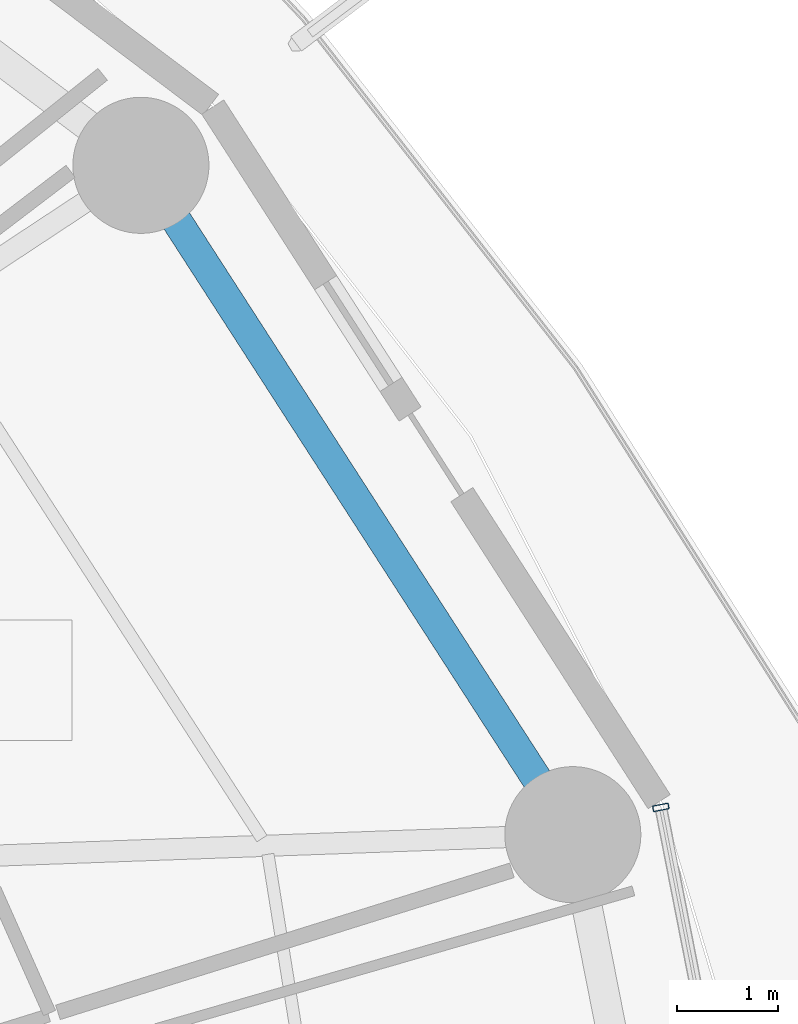
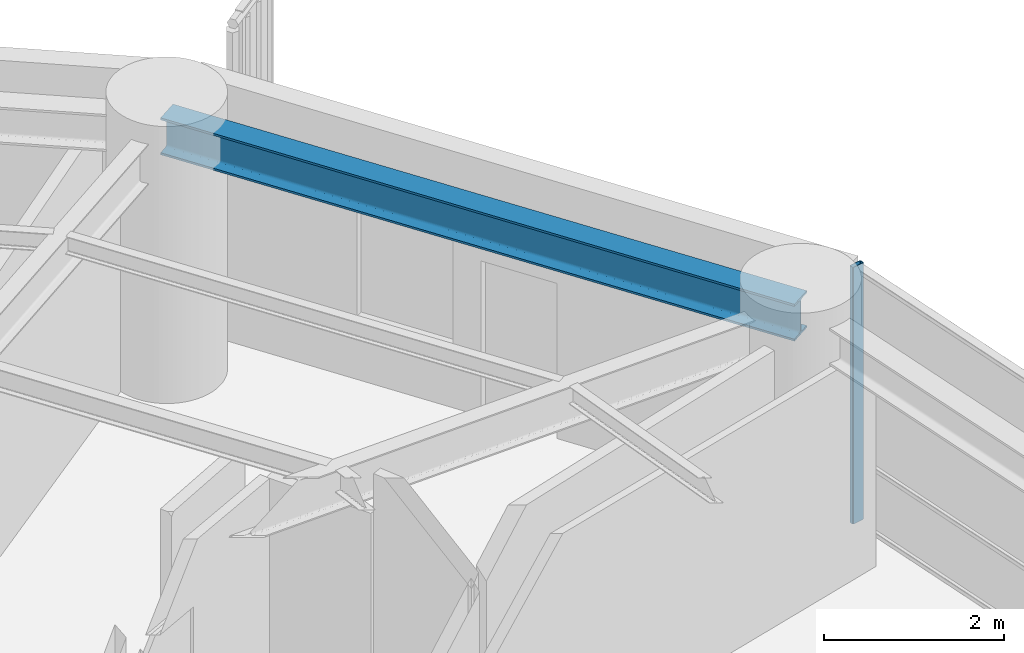
# One storey, part 27 of 37: 1 beam, 1 member, 1 element without a shape of its own.
"""IFC4 building model written with IfcOpenShell, lengths in metres."""

from ifc_helpers import new_model, si_unit, direction, frame, origin, origin_2d, place, context, subcontext, project, spatial, hollow_rectangle, i_section, extrude, material, layer, layer_set, material_profile, profile_set, type_object, element, aggregate, save


model = new_model("IFC4")

# Units and contexts
model_context = context("Model", 3, precision=1e-05, world=origin(), true_north=direction((0.0, 1.0)))
body_context = subcontext(model_context, "Body", "Model", "MODEL_VIEW")
ifc_project = project(units=[si_unit("LENGTHUNIT", "METRE"), si_unit("AREAUNIT", "SQUARE_METRE"), si_unit("VOLUMEUNIT", "CUBIC_METRE"), si_unit("PLANEANGLEUNIT", "RADIAN"), si_unit("MASSUNIT", "GRAM", prefix="KILO")], contexts=[model_context])

# Site, building, storey
site_placement = place(None, origin())
site = spatial("IfcSite", under=ifc_project, at=site_placement, CompositionType="ELEMENT")
building_placement = place(site_placement, origin())
building = spatial("IfcBuilding", under=site, at=building_placement, Name="Kelanora Arch Commons", CompositionType="ELEMENT")
storey_placement = place(building_placement, frame((0.0, 0.0, 110.10009765625)))
storey = spatial("IfcBuildingStorey", under=building, at=storey_placement, Name="L28", CompositionType="ELEMENT", Elevation=110.10009765625)

# Beam
ifc_material_1 = material(Name="Steel S355", Category="steel")
ifc_material_profile_1 = material_profile(ifc_material_1, i_section(OverallWidth=0.300048828125, OverallDepth=0.5, WebThickness=0.014404296875, FlangeThickness=0.028076171875, FilletRadius=0.027099609375, at=origin_2d()), Name="HEB500")
ifc_profile_set_1 = profile_set([ifc_material_profile_1], Name="Steel S355")
beam_type = type_object("IfcBeamType", Name="BM-SPN-Z2", PredefinedType="SPANDREL", material=ifc_profile_set_1)
beam_placement = place(storey_placement, frame((97.191650390625, 65.5517578125, 3.239990234375), z_axis=(-0.542221144054, 0.840235818649, 0.0), x_axis=(-0.840235818649, -0.542221144054, 0.0)))
element("IfcBeam", 1, at=beam_placement, inside=storey, type_object=beam_type, Name="Perimeter Spandrel Beam BS-02 L28", PredefinedType="SPANDREL", context=body_context, shape_type="SweptSolid", body=[
    extrude(i_section(OverallWidth=0.300048828125, OverallDepth=0.5, WebThickness=0.014404296875, FlangeThickness=0.028076171875, FilletRadius=0.027099609375, at=origin_2d()), origin(), (0.0, 0.0, 1.0), 7.90380859375),
])

# Curtain wall, member
ifc_material_2 = material(Name="Terracotta ceramic-fritted low-E glass and aluminium", Category="masonry")
ifc_layer = layer(ifc_material_2, 0.159912109375)
ifc_layer_set = layer_set([ifc_layer], Name="Terracotta ceramic-fritted low-E glass and aluminium")
curtain_wall_type = type_object("IfcCurtainWallType", Name="CW-SYS-01", PredefinedType="NOTDEFINED", material=ifc_layer_set)
curtain_wall_placement = place(storey_placement, origin())
curtain_wall = element("IfcCurtainWall", 2, at=curtain_wall_placement, inside=storey, type_object=curtain_wall_type, Name="Unitised Curtain Wall L28-B00", PredefinedType="NOTDEFINED")
ifc_material_3 = material(Name="Powder-coated aluminium terracotta", Category="masonry")
ifc_material_profile_2 = material_profile(ifc_material_3, hollow_rectangle(XDim=0.159912109375, YDim=0.06005859375, WallThickness=0.0048828125, InnerFilletRadius=0.0048828125, OuterFilletRadius=0.010009765625, at=origin_2d()), Name="CWM160x60")
ifc_profile_set_2 = profile_set([ifc_material_profile_2], Name="Powder-coated aluminium terracotta")
member_type = type_object("IfcMemberType", Name="CWM-STD", PredefinedType="MULLION", material=ifc_profile_set_2)
member_placement = place(storey_placement, frame((98.064697265625, 65.822265625, 0.0), z_axis=(0.0, 0.0, 1.0), x_axis=(-0.981280311646, -0.192584916272, 0.0)))
member = element("IfcMember", 3, at=member_placement, type_object=member_type, Name="CW-01 mullion 3", PredefinedType="MULLION", context=body_context, shape_type="SweptSolid", body=[
    extrude(hollow_rectangle(XDim=0.159912109375, YDim=0.06005859375, WallThickness=0.0048828125, InnerFilletRadius=0.0048828125, OuterFilletRadius=0.010009765625, at=origin_2d()), origin(), (0.0, 0.0, 1.0), 3.474853515625),
])
aggregate(curtain_wall, [member])

save(model, "model.ifc")
